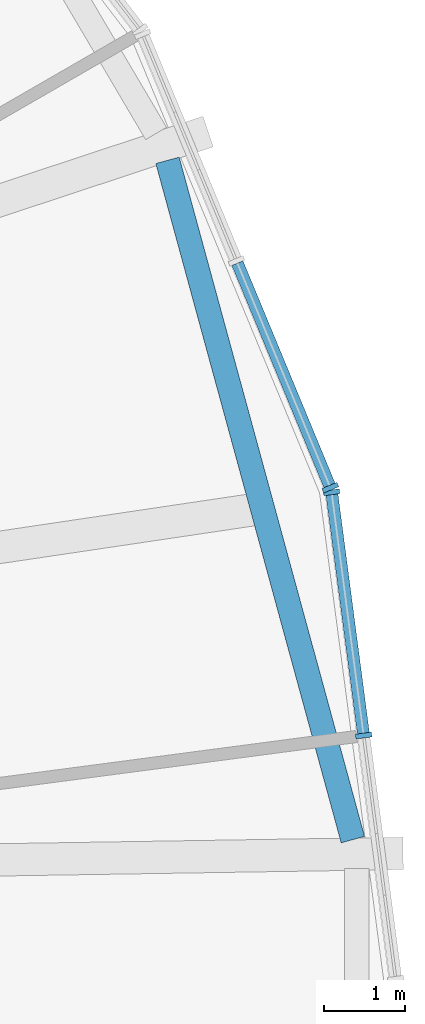
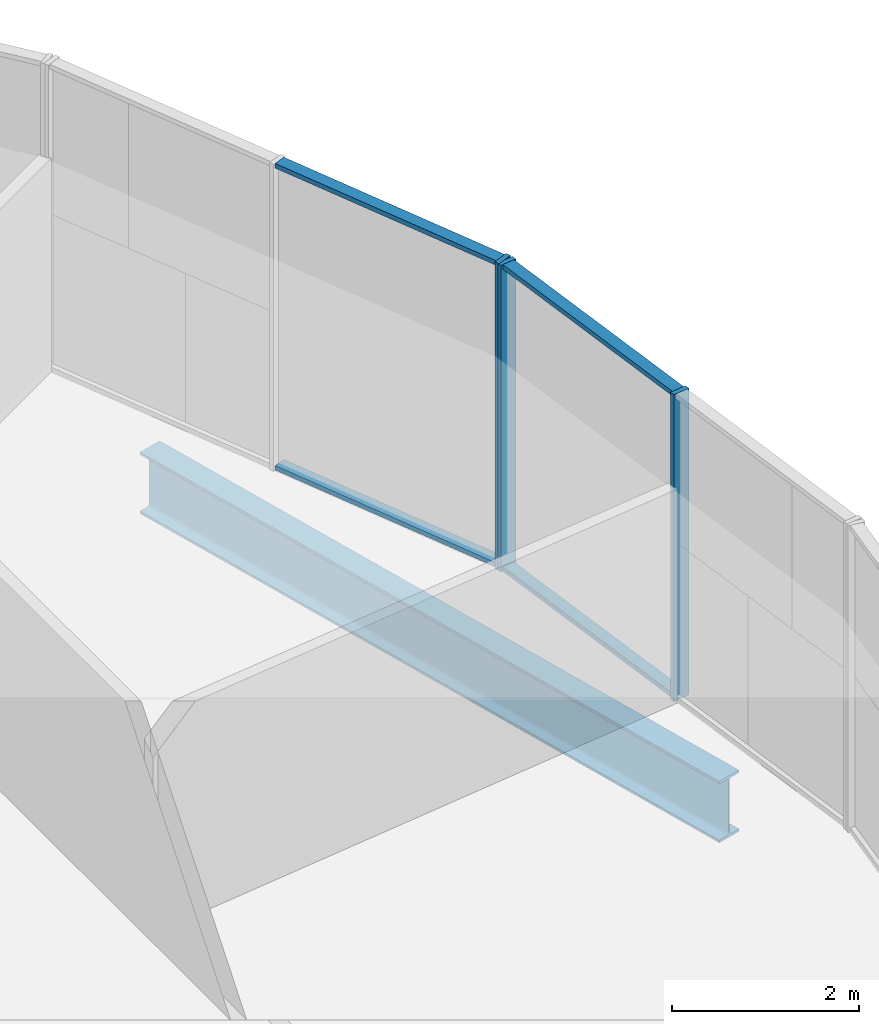
# One storey, part 5 of 13: 7 members, 1 beam, 2 elements without a shape of their own.
"""IFC4 building model written with IfcOpenShell, lengths in metres."""

from ifc_helpers import new_model, si_unit, direction, frame, origin, origin_2d, place, context, subcontext, project, spatial, rectangle, i_section, extrude, material, material_profile, profile_set, type_object, element, aggregate, save


model = new_model("IFC4")

# Units and contexts
model_context = context("Model", 3, precision=1e-05, world=origin(), true_north=direction((0.0, 1.0)))
body_context = subcontext(model_context, "Body", "Model", "MODEL_VIEW")
ifc_project = project(units=[si_unit("LENGTHUNIT", "METRE"), si_unit("AREAUNIT", "SQUARE_METRE"), si_unit("VOLUMEUNIT", "CUBIC_METRE"), si_unit("PLANEANGLEUNIT", "RADIAN"), si_unit("MASSUNIT", "GRAM", prefix="KILO")], contexts=[model_context])

# Site, building, storey
site_placement = place(None, origin())
site = spatial("IfcSite", under=ifc_project, at=site_placement, CompositionType="ELEMENT")
building_placement = place(site_placement, origin())
building = spatial("IfcBuilding", under=site, at=building_placement, Name="Golbaran Civic Tower", CompositionType="ELEMENT")
storey_placement = place(building_placement, frame((0.0, 0.0, 211.0)))
storey = spatial("IfcBuildingStorey", under=building, at=storey_placement, Name="L51", CompositionType="ELEMENT", Elevation=211.0)

# Beam
ifc_material_1 = material(Name="Steel S355", Category="steel")
ifc_material_profile_1 = material_profile(ifc_material_1, i_section(OverallWidth=0.300048828125, OverallDepth=0.800048828125, WebThickness=0.017578125, FlangeThickness=0.032958984375, FilletRadius=0.030029296875, at=origin_2d()), Name="HEB 800")
ifc_profile_set_1 = profile_set([ifc_material_profile_1], Name="Steel S355")
beam_type = type_object("IfcBeamType", Name="EDGE BEAM HEB 800", PredefinedType="BEAM", material=ifc_profile_set_1)
beam_placement = place(storey_placement, frame((22.95458984375, 1.75146484375, -0.60009765625), z_axis=(-0.263269153865, 0.964722422577, 0.0), x_axis=(-0.964722422577, -0.263269153865, 0.0)))
element("IfcBeam", 1, at=beam_placement, inside=storey, type_object=beam_type, Name="Edge beam 3.77 L51", PredefinedType="BEAM", context=body_context, shape_type="SweptSolid", body=[
    extrude(i_section(OverallWidth=0.300048828125, OverallDepth=0.800048828125, WebThickness=0.017578125, FlangeThickness=0.032958984375, FilletRadius=0.030029296875, at=origin_2d()), origin(), (0.0, 0.0, 1.0), 8.71240234375),
])

# Curtain wall, members
ifc_material_2 = material(Name="Aluminium and glass", Category="aluminium")
curtain_wall_type = type_object("IfcCurtainWallType", Name="INNER SKIN CURTAIN WALL EXECUTIVE", PredefinedType="NOTDEFINED", material=ifc_material_2)
curtain_wall_1_placement = place(storey_placement, origin())
curtain_wall_1 = element("IfcCurtainWall", 2, at=curtain_wall_1_placement, inside=storey, type_object=curtain_wall_type, Name="Inner skin L51 facet 1 CW2", ObjectType="INNER SKIN", PredefinedType="USERDEFINED")
ifc_material_3 = material(Name="Aluminium", Category="aluminium")
ifc_material_profile_2 = material_profile(ifc_material_3, rectangle(XDim=0.199951171875, YDim=0.06005859375, at=origin_2d()), Name="INNER SKIN CURTAIN WALL EXECUTIVE MULLION")
ifc_profile_set_2 = profile_set([ifc_material_profile_2], Name="Aluminium")
member_type_1 = type_object("IfcMemberType", Name="INNER SKIN CURTAIN WALL EXECUTIVE MULLION", PredefinedType="MULLION", material=ifc_profile_set_2)
member_1_placement = place(storey_placement, frame((23.087890625, 3.03955078125, 0.0), z_axis=(0.0, 0.0, 1.0), x_axis=(-0.991444861376, -0.130526192203, 0.0)))
member_1 = element("IfcMember", 3, at=member_1_placement, type_object=member_type_1, Name="CW2 mullion 2", PredefinedType="MULLION", context=body_context, shape_type="SweptSolid", body=[
    extrude(rectangle(XDim=0.199951171875, YDim=0.06005859375, at=origin_2d()), origin(), (0.0, 0.0, 1.0), 4.0),
])
member_2_placement = place(storey_placement, frame((22.691650390625, 6.04931640625, 0.0), z_axis=(0.0, 0.0, 1.0), x_axis=(-0.991444861376, -0.130526192203, 0.0)))
member_2 = element("IfcMember", 4, at=member_2_placement, type_object=member_type_1, Name="CW2 mullion 3", PredefinedType="MULLION", context=body_context, shape_type="SweptSolid", body=[
    extrude(rectangle(XDim=0.199951171875, YDim=0.06005859375, at=origin_2d()), origin(), (0.0, 0.0, 1.0), 4.0),
])

# Curtain wall, member
curtain_wall_2_placement = place(storey_placement, origin())
curtain_wall_2 = element("IfcCurtainWall", 5, at=curtain_wall_2_placement, inside=storey, type_object=curtain_wall_type, Name="Inner skin L51 facet 2 CW2", ObjectType="INNER SKIN", PredefinedType="USERDEFINED")
member_3_placement = place(storey_placement, frame((22.67626953125, 6.10693359375, 0.0), z_axis=(0.0, 0.0, 1.0), x_axis=(-0.923879532505, -0.382683432381, 0.0)))
member_3 = element("IfcMember", 6, at=member_3_placement, type_object=member_type_1, Name="CW2 mullion 1", PredefinedType="MULLION", context=body_context, shape_type="SweptSolid", body=[
    extrude(rectangle(XDim=0.199951171875, YDim=0.06005859375, at=origin_2d()), origin(), (0.0, 0.0, 1.0), 4.0),
])

# Member
ifc_material_profile_3 = material_profile(ifc_material_3, rectangle(XDim=0.14990234375, YDim=0.06005859375, at=origin_2d()), Name="INNER SKIN CURTAIN WALL EXECUTIVE TRANSOM")
ifc_profile_set_3 = profile_set([ifc_material_profile_3], Name="Aluminium")
member_type_2 = type_object("IfcMemberType", Name="INNER SKIN CURTAIN WALL EXECUTIVE TRANSOM", PredefinedType="USERDEFINED", material=ifc_profile_set_3)
member_4_placement = place(storey_placement, frame((23.083984375, 3.0693359375, 0.030029296875), z_axis=(-0.130524544442, 0.991445078306, 0.0), x_axis=(-0.991445078306, -0.130524544442, 0.0)))
member_4 = element("IfcMember", 7, at=member_4_placement, type_object=member_type_2, Name="CW2 transom 2.1", ObjectType="TRANSOM", PredefinedType="USERDEFINED", context=body_context, shape_type="SweptSolid", body=[
    extrude(rectangle(XDim=0.14990234375, YDim=0.06005859375, at=origin_2d()), origin(), (0.0, 0.0, 1.0), 2.975830078125),
])

member_5_placement = place(storey_placement, frame((23.083984375, 3.0693359375, 3.969970703125), z_axis=(-0.130524544442, 0.991445078306, 0.0), x_axis=(-0.991445078306, -0.130524544442, 0.0)))
member_5 = element("IfcMember", 8, at=member_5_placement, type_object=member_type_2, Name="CW2 transom 2.2", ObjectType="TRANSOM", PredefinedType="USERDEFINED", context=body_context, shape_type="SweptSolid", body=[
    extrude(rectangle(XDim=0.14990234375, YDim=0.06005859375, at=origin_2d()), origin(), (0.0, 0.0, 1.0), 2.975830078125),
])

aggregate(curtain_wall_1, [member_1, member_2, member_4, member_5])

member_6_placement = place(storey_placement, frame((22.664794921875, 6.134521484375, 0.030029296875), z_axis=(-0.382721321507, 0.923863837405, 0.0), x_axis=(-0.923863837405, -0.382721321507, 0.0)))
member_6 = element("IfcMember", 9, at=member_6_placement, type_object=member_type_2, Name="CW2 transom 1.1", ObjectType="TRANSOM", PredefinedType="USERDEFINED", context=body_context, shape_type="SweptSolid", body=[
    extrude(rectangle(XDim=0.14990234375, YDim=0.06005859375, at=origin_2d()), origin(), (0.0, 0.0, 1.0), 2.975830078125),
])

member_7_placement = place(storey_placement, frame((22.664794921875, 6.134521484375, 3.969970703125), z_axis=(-0.382721321507, 0.923863837405, 0.0), x_axis=(-0.923863837405, -0.382721321507, 0.0)))
member_7 = element("IfcMember", 10, at=member_7_placement, type_object=member_type_2, Name="CW2 transom 1.2", ObjectType="TRANSOM", PredefinedType="USERDEFINED", context=body_context, shape_type="SweptSolid", body=[
    extrude(rectangle(XDim=0.14990234375, YDim=0.06005859375, at=origin_2d()), origin(), (0.0, 0.0, 1.0), 2.975830078125),
])

aggregate(curtain_wall_2, [member_3, member_6, member_7])

save(model, "model.ifc")
